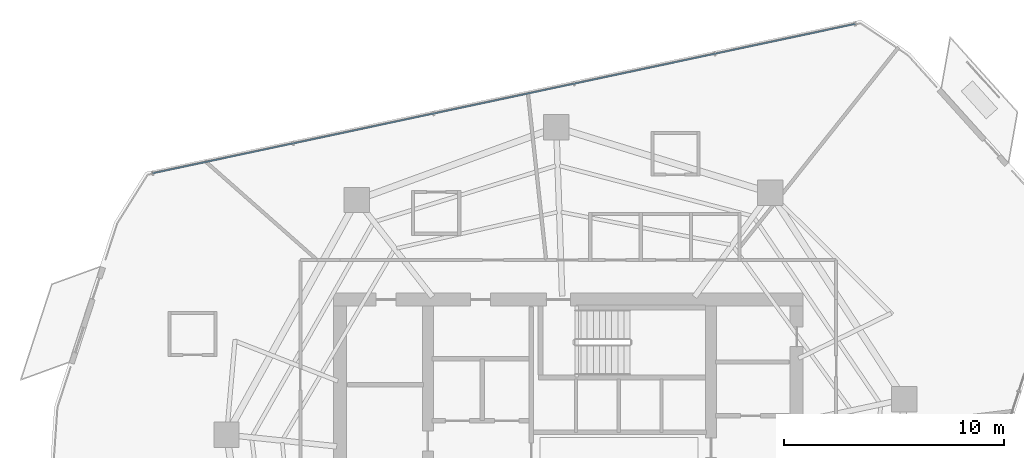
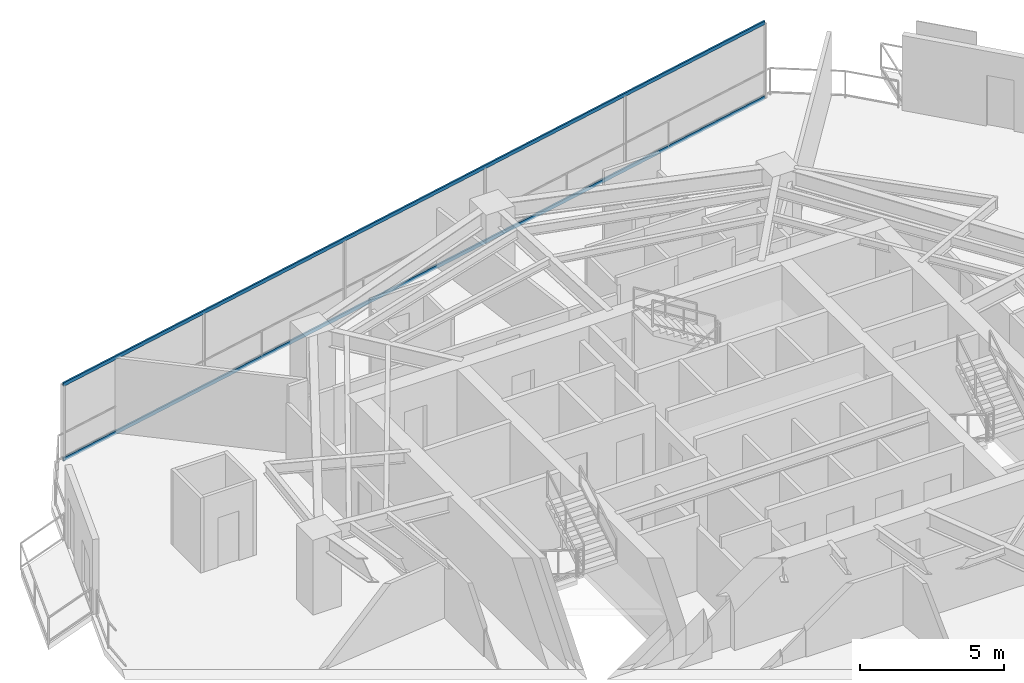
# One storey, part 18 of 27: 2 members, 1 element without a shape of its own.
"""IFC4 building model written with IfcOpenShell, lengths in metres."""

from ifc_helpers import new_model, si_unit, direction, frame, origin, origin_2d, place, context, subcontext, project, spatial, hollow_rectangle, extrude, material, layer, layer_set, material_profile, profile_set, type_object, element, aggregate, save


model = new_model("IFC4")

# Units and contexts
model_context = context("Model", 3, precision=1e-05, world=origin(), true_north=direction((0.0, 1.0)))
body_context = subcontext(model_context, "Body", "Model", "MODEL_VIEW")
ifc_project = project(units=[si_unit("LENGTHUNIT", "METRE"), si_unit("AREAUNIT", "SQUARE_METRE"), si_unit("VOLUMEUNIT", "CUBIC_METRE"), si_unit("PLANEANGLEUNIT", "RADIAN"), si_unit("MASSUNIT", "GRAM", prefix="KILO")], contexts=[model_context])

# Site, building, storey
site_placement = place(None, origin())
site = spatial("IfcSite", under=ifc_project, at=site_placement, CompositionType="ELEMENT")
building_placement = place(site_placement, origin())
building = spatial("IfcBuilding", under=site, at=building_placement, Name="Qarnah Convention Tower", CompositionType="ELEMENT")
storey_placement = place(building_placement, frame((0.0, 0.0, 110.85009765625)))
storey = spatial("IfcBuildingStorey", under=building, at=storey_placement, Name="L29", CompositionType="ELEMENT", Elevation=110.85009765625)

# Curtain wall, members
ifc_material_1 = material(Name="Tempered Low-E dark glass", Category="glass")
ifc_layer = layer(ifc_material_1, 0.169921875)
ifc_layer_set = layer_set([ifc_layer], Name="Tempered Low-E dark glass")
curtain_wall_type = type_object("IfcCurtainWallType", Name="CWS-02", PredefinedType="NOTDEFINED", material=ifc_layer_set)
curtain_wall_placement = place(storey_placement, origin())
curtain_wall = element("IfcCurtainWall", 1, at=curtain_wall_placement, inside=storey, type_object=curtain_wall_type, Name="L29 unitised curtain wall CW-L29-F1", PredefinedType="NOTDEFINED")
ifc_material_2 = material(Name="Black anodised aluminium", Category="aluminium")
ifc_material_profile = material_profile(ifc_material_2, hollow_rectangle(XDim=0.06494140625, YDim=0.14990234375, WallThickness=0.00390625, at=origin_2d()), Name="TRN-65X150")
ifc_profile_set = profile_set([ifc_material_profile], Name="Black anodised aluminium")
member_type = type_object("IfcMemberType", Name="TRN-T2", PredefinedType="USERDEFINED", material=ifc_profile_set)
member_1_placement = place(storey_placement, frame((18.26904296875, 39.948974609375, 0.0), z_axis=(0.978150278088, 0.207899094457, 0.0), x_axis=(-0.207899094457, 0.978150278088, 0.0)))
member_1 = element("IfcMember", 2, at=member_1_placement, type_object=member_type, Name="CW-L29-F1 transom 1", ObjectType="TRANSOM", PredefinedType="USERDEFINED", context=body_context, shape_type="SweptSolid", body=[
    extrude(hollow_rectangle(XDim=0.06494140625, YDim=0.14990234375, WallThickness=0.00390625, at=origin_2d()), origin(), (0.0, 0.0, 1.0), 32.7177734375),
])
member_2_placement = place(storey_placement, frame((18.26904296875, 39.948974609375, 3.169921875), z_axis=(0.978150278088, 0.207899094457, 0.0), x_axis=(-0.207899094457, 0.978150278088, 0.0)))
member_2 = element("IfcMember", 3, at=member_2_placement, type_object=member_type, Name="CW-L29-F1 transom 2", ObjectType="TRANSOM", PredefinedType="USERDEFINED", context=body_context, shape_type="SweptSolid", body=[
    extrude(hollow_rectangle(XDim=0.06494140625, YDim=0.14990234375, WallThickness=0.00390625, at=origin_2d()), origin(), (0.0, 0.0, 1.0), 32.7177734375),
])
aggregate(curtain_wall, [member_1, member_2])

save(model, "model.ifc")
